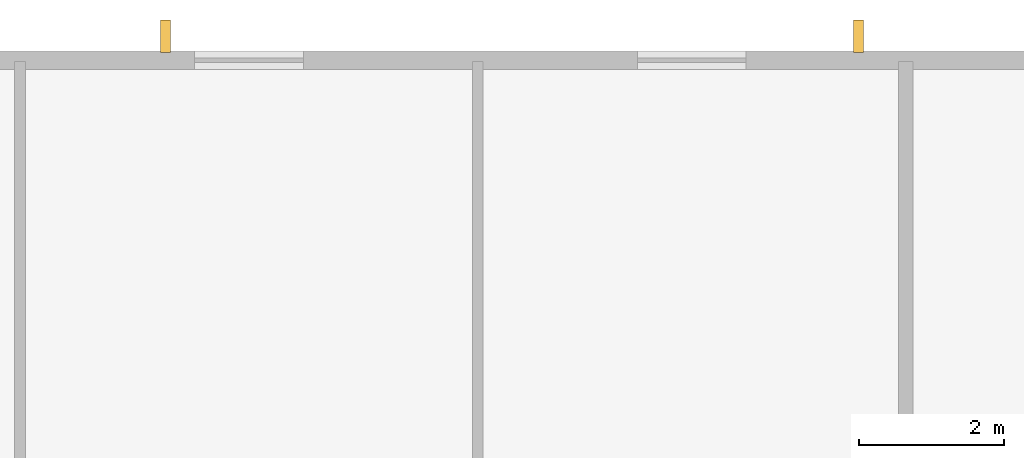
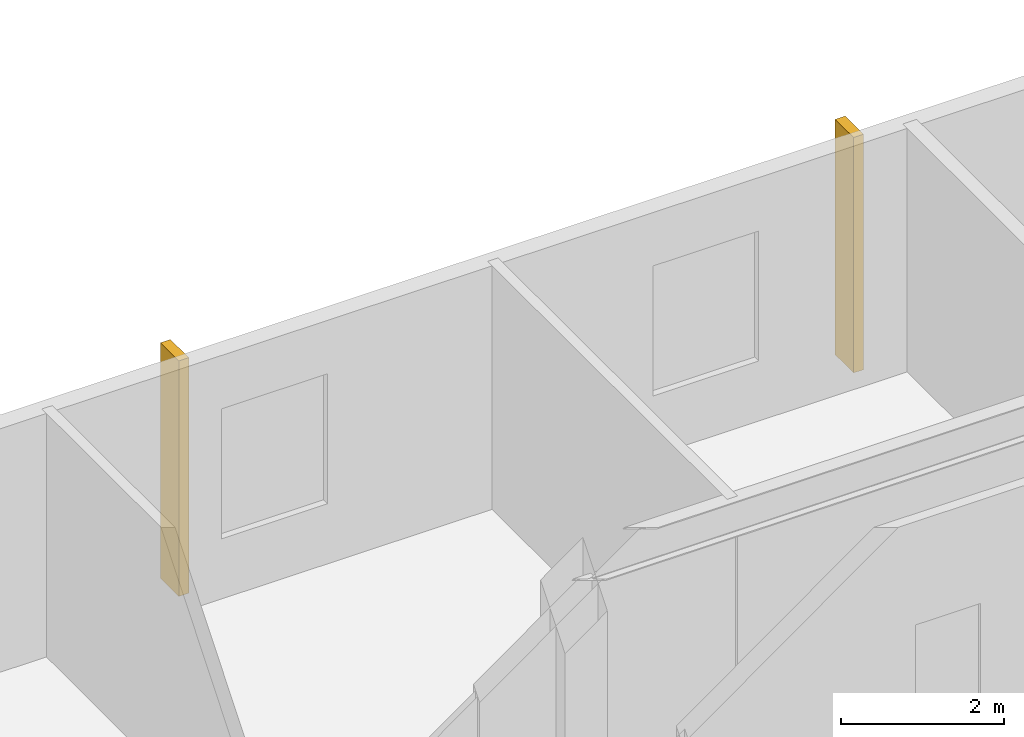
# One storey, part 8 of 8: 2 shading devices.
"""IFC4 building model written with IfcOpenShell, lengths in metres."""

from ifc_helpers import new_model, si_unit, direction, frame, origin, origin_2d, place, context, subcontext, project, spatial, rectangle, extrude, material, type_object, element, save


model = new_model("IFC4")

# Units and contexts
model_context = context("Model", 3, precision=1e-05, world=origin(), true_north=direction((0.0, 1.0)))
body_context = subcontext(model_context, "Body", "Model", "MODEL_VIEW")
ifc_project = project(units=[si_unit("LENGTHUNIT", "METRE"), si_unit("AREAUNIT", "SQUARE_METRE"), si_unit("VOLUMEUNIT", "CUBIC_METRE"), si_unit("PLANEANGLEUNIT", "RADIAN"), si_unit("MASSUNIT", "GRAM", prefix="KILO")], contexts=[model_context])

# Site, building, storey
site_placement = place(None, origin())
site = spatial("IfcSite", under=ifc_project, at=site_placement, CompositionType="ELEMENT")
building_placement = place(site_placement, origin())
building = spatial("IfcBuilding", under=site, at=building_placement, Name="Ventersveld Concourse Tower", CompositionType="ELEMENT")
storey_placement = place(building_placement, frame((0.0, 0.0, 284.89990234375)))
storey = spatial("IfcBuildingStorey", under=building, at=storey_placement, Name="L70", CompositionType="ELEMENT", Elevation=284.89990234375)

# Shading devices
ifc_material = material(Name="Precast concrete C45/55", Category="concrete")
shading_device_type = type_object("IfcShadingDeviceType", Name="SHD-FIN-450", PredefinedType="USERDEFINED", material=ifc_material)
for number, where, z_axis, x_axis, name in (
    (1, (28.75, 34.726806640625, 0.06005859375), (0.0, 0.0, 1.0), (1.0, 0.0, 0.0), "L70 North Vertical Solar Shading FIN 2"),
    (2, (19.181884765625, 34.726806640625, 0.06005859375), (0.0, 0.0, 1.0), (1.0, 0.0, 0.0), "L70 North Vertical Solar Shading FIN 3"),
):
    element("IfcShadingDevice", number, at=place(storey_placement, frame(where, z_axis=z_axis, x_axis=x_axis)), inside=storey, type_object=shading_device_type, Name=name, ObjectType="SUNSHADE", PredefinedType="USERDEFINED", context=body_context, shape_type="SweptSolid", body=[
        extrude(rectangle(XDim=0.139892578125, YDim=0.449951171875, at=origin_2d()), origin(), (0.0, 0.0, 1.0), 3.530029296875),
    ])

save(model, "model.ifc")
